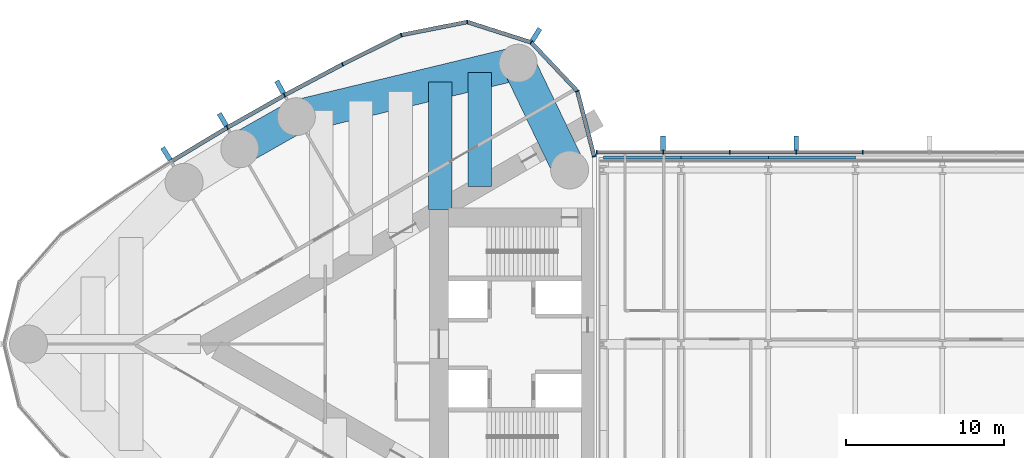
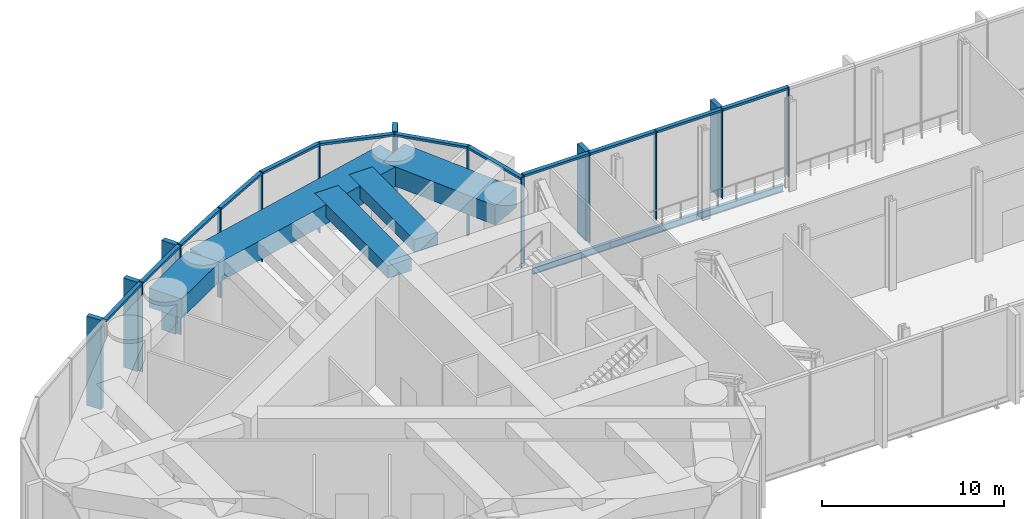
# One storey, part 6 of 21: 31 members, 8 beams, 2 elements without a shape of their own.
"""IFC4 building model written with IfcOpenShell, lengths in metres."""

from ifc_helpers import new_model, si_unit, direction, frame, origin, origin_2d, place, context, subcontext, project, spatial, rectangle, i_section, extrude, material, material_profile, profile_set, type_object, element, aggregate, save


model = new_model("IFC4")

# Units and contexts
model_context = context("Model", 3, precision=1e-05, world=origin(), true_north=direction((0.0, 1.0)))
body_context = subcontext(model_context, "Body", "Model", "MODEL_VIEW")
ifc_project = project(units=[si_unit("LENGTHUNIT", "METRE"), si_unit("AREAUNIT", "SQUARE_METRE"), si_unit("VOLUMEUNIT", "CUBIC_METRE"), si_unit("PLANEANGLEUNIT", "RADIAN"), si_unit("MASSUNIT", "GRAM", prefix="KILO")], contexts=[model_context])

# Site, building, storey
site_placement = place(None, origin())
site = spatial("IfcSite", under=ifc_project, at=site_placement, CompositionType="ELEMENT")
building_placement = place(site_placement, origin())
building = spatial("IfcBuilding", under=site, at=building_placement, Name="Lancet Gate Hotel", CompositionType="ELEMENT")
storey_placement = place(building_placement, frame((0.0, 0.0, 257.300048828125)))
storey = spatial("IfcBuildingStorey", under=building, at=storey_placement, Name="L68", CompositionType="ELEMENT", Elevation=257.300048828125)

# Curtain wall, members
ifc_material_1 = material(Name="Aluminium curtain wall", Category="aluminium")
curtain_wall_type = type_object("IfcCurtainWallType", Name="Sky deck full-height glazing", PredefinedType="USERDEFINED", material=ifc_material_1)
curtain_wall_1_placement = place(storey_placement, origin())
curtain_wall_1 = element("IfcCurtainWall", 1, at=curtain_wall_1_placement, inside=storey, type_object=curtain_wall_type, Name="T1 L68 curtain wall 1", ObjectType="UNITISED CURTAIN WALL", PredefinedType="USERDEFINED")
ifc_material_2 = material(Name="Aluminium mullion", Category="aluminium")
ifc_material_profile_1 = material_profile(ifc_material_2, rectangle(XDim=0.06494140625, YDim=0.25, at=origin_2d()), Name="MULLION 65x250")
ifc_profile_set_1 = profile_set([ifc_material_profile_1], Name="Aluminium mullion")
member_type_1 = type_object("IfcMemberType", Name="Aluminium mullion 65x250", PredefinedType="MULLION", material=ifc_profile_set_1)
member_1_placement = place(storey_placement, frame((-27.5, 11.861572265625, 0.0), z_axis=(0.0, 0.0, 1.0), x_axis=(-0.249725827997, 0.968316586056, 0.0)))
member_1 = element("IfcMember", 2, at=member_1_placement, type_object=member_type_1, Name="T1 L68 curtain wall 1 mullion 1", PredefinedType="MULLION", context=body_context, shape_type="SweptSolid", body=[
    extrude(rectangle(XDim=0.06494140625, YDim=0.25, at=origin_2d()), origin(), (0.0, 0.0, 1.0), 6.0),
])
member_2_placement = place(storey_placement, frame((-28.56005859375, 15.97216796875, 0.0), z_axis=(0.0, 0.0, 1.0), x_axis=(-0.483627322447, 0.875274021654, 0.0)))
member_2 = element("IfcMember", 3, at=member_2_placement, type_object=member_type_1, Name="T1 L68 curtain wall 1 mullion 2", PredefinedType="MULLION", context=body_context, shape_type="SweptSolid", body=[
    extrude(rectangle(XDim=0.06494140625, YDim=0.25, at=origin_2d()), origin(), (0.0, 0.0, 1.0), 6.0),
])
member_3_placement = place(storey_placement, frame((-31.476318359375, 19.0576171875, 0.0), z_axis=(0.0, 0.0, 1.0), x_axis=(-0.846612863, 0.532209225966, 0.0)))
member_3 = element("IfcMember", 4, at=member_3_placement, type_object=member_type_1, Name="T1 L68 curtain wall 1 mullion 3", PredefinedType="MULLION", context=body_context, shape_type="SweptSolid", body=[
    extrude(rectangle(XDim=0.06494140625, YDim=0.25, at=origin_2d()), origin(), (0.0, 0.0, 1.0), 6.0),
])
member_4_placement = place(storey_placement, frame((-35.520751953125, 20.347900390625, 0.0), z_axis=(0.0, 0.0, 1.0), x_axis=(-0.998409168318, 0.056383797491, 0.0)))
member_4 = element("IfcMember", 5, at=member_4_placement, type_object=member_type_1, Name="T1 L68 curtain wall 1 mullion 4", PredefinedType="MULLION", context=body_context, shape_type="SweptSolid", body=[
    extrude(rectangle(XDim=0.06494140625, YDim=0.25, at=origin_2d()), origin(), (0.0, 0.0, 1.0), 6.0),
])
member_5_placement = place(storey_placement, frame((-39.684814453125, 19.521240234375, 0.0), z_axis=(0.0, 0.0, 1.0), x_axis=(-0.946887706423, -0.321564412561, 0.0)))
member_5 = element("IfcMember", 6, at=member_5_placement, type_object=member_type_1, Name="T1 L68 curtain wall 1 mullion 5", PredefinedType="MULLION", context=body_context, shape_type="SweptSolid", body=[
    extrude(rectangle(XDim=0.06494140625, YDim=0.25, at=origin_2d()), origin(), (0.0, 0.0, 1.0), 6.0),
])
member_6_placement = place(storey_placement, frame((-43.3994140625, 17.67236328125, 0.0), z_axis=(0.0, 0.0, 1.0), x_axis=(-0.889155526065, -0.457605125046, 0.0)))
member_6 = element("IfcMember", 7, at=member_6_placement, type_object=member_type_1, Name="T1 L68 curtain wall 1 mullion 6", PredefinedType="MULLION", context=body_context, shape_type="SweptSolid", body=[
    extrude(rectangle(XDim=0.06494140625, YDim=0.25, at=origin_2d()), origin(), (0.0, 0.0, 1.0), 6.0),
])
member_7_placement = place(storey_placement, frame((-47.062744140625, 15.72412109375, 0.0), z_axis=(0.0, 0.0, 1.0), x_axis=(-0.876516407283, -0.481371984815, 0.0)))
member_7 = element("IfcMember", 8, at=member_7_placement, type_object=member_type_1, Name="T1 L68 curtain wall 1 mullion 7", PredefinedType="MULLION", context=body_context, shape_type="SweptSolid", body=[
    extrude(rectangle(XDim=0.06494140625, YDim=0.25, at=origin_2d()), origin(), (0.0, 0.0, 1.0), 6.0),
])
member_8_placement = place(storey_placement, frame((-50.67236328125, 13.677978515625, 0.0), z_axis=(0.0, 0.0, 1.0), x_axis=(-0.863242155108, -0.504790037189, 0.0)))
member_8 = element("IfcMember", 9, at=member_8_placement, type_object=member_type_1, Name="T1 L68 curtain wall 1 mullion 8", PredefinedType="MULLION", context=body_context, shape_type="SweptSolid", body=[
    extrude(rectangle(XDim=0.06494140625, YDim=0.25, at=origin_2d()), origin(), (0.0, 0.0, 1.0), 6.0),
])

curtain_wall_2_placement = place(storey_placement, origin())
curtain_wall_2 = element("IfcCurtainWall", 10, at=curtain_wall_2_placement, inside=storey, type_object=curtain_wall_type, Name="Bridge block L68 curtain wall N", ObjectType="UNITISED CURTAIN WALL", PredefinedType="USERDEFINED")
member_9_placement = place(storey_placement, frame((-10.519287109375, 12.1201171875, 0.0), z_axis=(0.0, 0.0, 1.0), x_axis=(-1.0, 0.0, 0.0)))
member_9 = element("IfcMember", 11, at=member_9_placement, type_object=member_type_1, Name="Bridge block L68 curtain wall N mullion 10", PredefinedType="MULLION", context=body_context, shape_type="SweptSolid", body=[
    extrude(rectangle(XDim=0.06494140625, YDim=0.25, at=origin_2d()), origin(), (0.0, 0.0, 1.0), 6.0),
])
member_10_placement = place(storey_placement, frame((-14.726806640625, 12.1201171875, 0.0), z_axis=(0.0, 0.0, 1.0), x_axis=(-1.0, 0.0, 0.0)))
member_10 = element("IfcMember", 12, at=member_10_placement, type_object=member_type_1, Name="Bridge block L68 curtain wall N mullion 11", PredefinedType="MULLION", context=body_context, shape_type="SweptSolid", body=[
    extrude(rectangle(XDim=0.06494140625, YDim=0.25, at=origin_2d()), origin(), (0.0, 0.0, 1.0), 6.0),
])
member_11_placement = place(storey_placement, frame((-18.9345703125, 12.1201171875, 0.0), z_axis=(0.0, 0.0, 1.0), x_axis=(-1.0, 0.0, 0.0)))
member_11 = element("IfcMember", 13, at=member_11_placement, type_object=member_type_1, Name="Bridge block L68 curtain wall N mullion 12", PredefinedType="MULLION", context=body_context, shape_type="SweptSolid", body=[
    extrude(rectangle(XDim=0.06494140625, YDim=0.25, at=origin_2d()), origin(), (0.0, 0.0, 1.0), 6.0),
])
member_12_placement = place(storey_placement, frame((-23.142333984375, 12.1201171875, 0.0), z_axis=(0.0, 0.0, 1.0), x_axis=(-1.0, 0.0, 0.0)))
member_12 = element("IfcMember", 14, at=member_12_placement, type_object=member_type_1, Name="Bridge block L68 curtain wall N mullion 13", PredefinedType="MULLION", context=body_context, shape_type="SweptSolid", body=[
    extrude(rectangle(XDim=0.06494140625, YDim=0.25, at=origin_2d()), origin(), (0.0, 0.0, 1.0), 6.0),
])
member_13_placement = place(storey_placement, frame((-27.35009765625, 12.1201171875, 0.0), z_axis=(0.0, 0.0, 1.0), x_axis=(-1.0, 0.0, 0.0)))
member_13 = element("IfcMember", 15, at=member_13_placement, type_object=member_type_1, Name="Bridge block L68 curtain wall N mullion 14", PredefinedType="MULLION", context=body_context, shape_type="SweptSolid", body=[
    extrude(rectangle(XDim=0.06494140625, YDim=0.25, at=origin_2d()), origin(), (0.0, 0.0, 1.0), 6.0),
])

# Member
ifc_material_3 = material(Name="Aluminium transom", Category="aluminium")
ifc_material_profile_2 = material_profile(ifc_material_3, rectangle(XDim=0.25, YDim=0.14990234375, at=origin_2d()), Name="TRANSOM 250x150")
ifc_profile_set_2 = profile_set([ifc_material_profile_2], Name="Aluminium transom")
member_type_2 = type_object("IfcMemberType", Name="Aluminium transom 250x150", PredefinedType="USERDEFINED", material=ifc_profile_set_2)
member_14_placement = place(storey_placement, frame((-27.508056640625, 11.892822265625, 5.925048828125), z_axis=(-0.249715522936, 0.968319243641, 0.0), x_axis=(-0.968319243641, -0.249715522936, 0.0)))
member_14 = element("IfcMember", 16, at=member_14_placement, type_object=member_type_2, Name="T1 L68 curtain wall 1 transom 1", ObjectType="TRANSOM", PredefinedType="USERDEFINED", context=body_context, shape_type="SweptSolid", body=[
    extrude(rectangle(XDim=0.25, YDim=0.14990234375, at=origin_2d()), origin(), (0.0, 0.0, 1.0), 4.180419921875),
])

member_15_placement = place(storey_placement, frame((-28.58251953125, 15.995849609375, 5.925048828125), z_axis=(-0.686880731091, 0.726770157103, 0.0), x_axis=(-0.726770157103, -0.686880731091, 0.0)))
member_15 = element("IfcMember", 17, at=member_15_placement, type_object=member_type_2, Name="T1 L68 curtain wall 1 transom 2", ObjectType="TRANSOM", PredefinedType="USERDEFINED", context=body_context, shape_type="SweptSolid", body=[
    extrude(rectangle(XDim=0.25, YDim=0.14990234375, at=origin_2d()), origin(), (0.0, 0.0, 1.0), 4.18017578125),
])

member_16_placement = place(storey_placement, frame((-31.507080078125, 19.067626953125, 5.925048828125), z_axis=(-0.952697713775, 0.303919506068, 0.0), x_axis=(-0.303919506068, -0.952697713775, 0.0)))
member_16 = element("IfcMember", 18, at=member_16_placement, type_object=member_type_2, Name="T1 L68 curtain wall 1 transom 3", ObjectType="TRANSOM", PredefinedType="USERDEFINED", context=body_context, shape_type="SweptSolid", body=[
    extrude(rectangle(XDim=0.25, YDim=0.14990234375, at=origin_2d()), origin(), (0.0, 0.0, 1.0), 4.180419921875),
])

member_17_placement = place(storey_placement, frame((-35.552734375, 20.341552734375, 5.925048828125), z_axis=(-0.980858234867, -0.194723196085, 0.0), x_axis=(0.194723196085, -0.980858234867, 0.0)))
member_17 = element("IfcMember", 19, at=member_17_placement, type_object=member_type_2, Name="T1 L68 curtain wall 1 transom 4", ObjectType="TRANSOM", PredefinedType="USERDEFINED", context=body_context, shape_type="SweptSolid", body=[
    extrude(rectangle(XDim=0.25, YDim=0.14990234375, at=origin_2d()), origin(), (0.0, 0.0, 1.0), 4.18017578125),
])

member_18_placement = place(storey_placement, frame((-39.7138671875, 19.5068359375, 5.925048828125), z_axis=(-0.895226720479, -0.445610950202, 0.0), x_axis=(0.445610950202, -0.895226720479, 0.0)))
member_18 = element("IfcMember", 20, at=member_18_placement, type_object=member_type_2, Name="T1 L68 curtain wall 1 transom 5", ObjectType="TRANSOM", PredefinedType="USERDEFINED", context=body_context, shape_type="SweptSolid", body=[
    extrude(rectangle(XDim=0.25, YDim=0.14990234375, at=origin_2d()), origin(), (0.0, 0.0, 1.0), 4.08447265625),
])

member_19_placement = place(storey_placement, frame((-43.427978515625, 17.656982421875, 5.925048828125), z_axis=(-0.882944619844, -0.469477154171, 0.0), x_axis=(0.469477154171, -0.882944619844, 0.0)))
member_19 = element("IfcMember", 21, at=member_19_placement, type_object=member_type_2, Name="T1 L68 curtain wall 1 transom 6", ObjectType="TRANSOM", PredefinedType="USERDEFINED", context=body_context, shape_type="SweptSolid", body=[
    extrude(rectangle(XDim=0.25, YDim=0.14990234375, at=origin_2d()), origin(), (0.0, 0.0, 1.0), 4.084228515625),
])

member_20_placement = place(storey_placement, frame((-47.091064453125, 15.7080078125, 5.925048828125), z_axis=(-0.869977740049, -0.493090997503, 0.0), x_axis=(0.493090997503, -0.869977740049, 0.0)))
member_20 = element("IfcMember", 22, at=member_20_placement, type_object=member_type_2, Name="T1 L68 curtain wall 1 transom 7", ObjectType="TRANSOM", PredefinedType="USERDEFINED", context=body_context, shape_type="SweptSolid", body=[
    extrude(rectangle(XDim=0.25, YDim=0.14990234375, at=origin_2d()), origin(), (0.0, 0.0, 1.0), 4.084228515625),
])

member_21_placement = place(storey_placement, frame((-50.7001953125, 13.661376953125, 5.925048828125), z_axis=(-0.856362214892, -0.516375596737, 0.0), x_axis=(0.516375596737, -0.856362214892, 0.0)))
member_21 = element("IfcMember", 23, at=member_21_placement, type_object=member_type_2, Name="T1 L68 curtain wall 1 transom 8", ObjectType="TRANSOM", PredefinedType="USERDEFINED", context=body_context, shape_type="SweptSolid", body=[
    extrude(rectangle(XDim=0.25, YDim=0.14990234375, at=origin_2d()), origin(), (0.0, 0.0, 1.0), 4.08447265625),
])

member_22_placement = place(storey_placement, frame((-10.5517578125, 12.1201171875, 5.925048828125), z_axis=(-1.0, 0.0, 0.0), x_axis=(0.0, -1.0, 0.0)))
member_22 = element("IfcMember", 24, at=member_22_placement, type_object=member_type_2, Name="Bridge block L68 curtain wall N transom 10", ObjectType="TRANSOM", PredefinedType="USERDEFINED", context=body_context, shape_type="SweptSolid", body=[
    extrude(rectangle(XDim=0.25, YDim=0.14990234375, at=origin_2d()), origin(), (0.0, 0.0, 1.0), 4.142578125),
])

member_23_placement = place(storey_placement, frame((-14.759521484375, 12.1201171875, 5.925048828125), z_axis=(-1.0, 0.0, 0.0), x_axis=(0.0, -1.0, 0.0)))
member_23 = element("IfcMember", 25, at=member_23_placement, type_object=member_type_2, Name="Bridge block L68 curtain wall N transom 11", ObjectType="TRANSOM", PredefinedType="USERDEFINED", context=body_context, shape_type="SweptSolid", body=[
    extrude(rectangle(XDim=0.25, YDim=0.14990234375, at=origin_2d()), origin(), (0.0, 0.0, 1.0), 4.142578125),
])

member_24_placement = place(storey_placement, frame((-18.967041015625, 12.1201171875, 5.925048828125), z_axis=(-1.0, 0.0, 0.0), x_axis=(0.0, -1.0, 0.0)))
member_24 = element("IfcMember", 26, at=member_24_placement, type_object=member_type_2, Name="Bridge block L68 curtain wall N transom 12", ObjectType="TRANSOM", PredefinedType="USERDEFINED", context=body_context, shape_type="SweptSolid", body=[
    extrude(rectangle(XDim=0.25, YDim=0.14990234375, at=origin_2d()), origin(), (0.0, 0.0, 1.0), 4.142822265625),
])

member_25_placement = place(storey_placement, frame((-23.1748046875, 12.1201171875, 5.925048828125), z_axis=(-1.0, 0.0, 0.0), x_axis=(0.0, -1.0, 0.0)))
member_25 = element("IfcMember", 27, at=member_25_placement, type_object=member_type_2, Name="Bridge block L68 curtain wall N transom 13", ObjectType="TRANSOM", PredefinedType="USERDEFINED", context=body_context, shape_type="SweptSolid", body=[
    extrude(rectangle(XDim=0.25, YDim=0.14990234375, at=origin_2d()), origin(), (0.0, 0.0, 1.0), 4.142578125),
])

# Beams
ifc_material_4 = material(Name="Steel S355", Category="steel")
ifc_material_profile_3 = material_profile(ifc_material_4, i_section(OverallWidth=0.19140625, OverallDepth=0.4599609375, WebThickness=0.010009765625, FlangeThickness=0.01611328125, FilletRadius=0.01025390625, at=origin_2d()), Name="UKB 457x191x82")
ifc_profile_set_3 = profile_set([ifc_material_profile_3], Name="Steel S355")
beam_type_1 = type_object("IfcBeamType", Name="Block edge beam UKB 457x191x82", PredefinedType="SPANDREL", material=ifc_profile_set_3)
beam_1_placement = place(storey_placement, frame((-26.89990234375, 11.800048828125, -0.429931640625), z_axis=(1.0, 0.0, 0.0), x_axis=(0.0, 1.0, 0.0)))
element("IfcBeam", 28, at=beam_1_placement, inside=storey, type_object=beam_type_1, Name="Block edge beam N 0-1 L68", PredefinedType="SPANDREL", context=body_context, shape_type="SweptSolid", body=[
    extrude(i_section(OverallWidth=0.19140625, OverallDepth=0.4599609375, WebThickness=0.010009765625, FlangeThickness=0.01611328125, FilletRadius=0.01025390625, at=origin_2d()), origin(), (0.0, 0.0, 1.0), 4.89990234375),
])
for number, where, z_axis, x_axis, name in (
    (29, (-22.0, 11.800048828125, -0.429931640625), (1.0, 0.0, 0.0), (0.0, 1.0, 0.0), "Block edge beam N 1-2 L68"),
    (30, (-16.5, 11.800048828125, -0.429931640625), (1.0, 0.0, 0.0), (0.0, 1.0, 0.0), "Block edge beam N 2-3 L68"),
):
    element("IfcBeam", number, at=place(storey_placement, frame(where, z_axis=z_axis, x_axis=x_axis)), inside=storey, type_object=beam_type_1, Name=name, PredefinedType="SPANDREL", context=body_context, shape_type="SweptSolid", body=[
        extrude(i_section(OverallWidth=0.19140625, OverallDepth=0.4599609375, WebThickness=0.010009765625, FlangeThickness=0.01611328125, FilletRadius=0.01025390625, at=origin_2d()), origin(), (0.0, 0.0, 1.0), 5.5),
    ])
ifc_material_5 = material(Name="Concrete C50/60", Category="concrete")
ifc_material_profile_4 = material_profile(ifc_material_5, rectangle(XDim=2.10009765625, YDim=1.300048828125, at=origin_2d()), Name="RC 2100x1300")
ifc_profile_set_4 = profile_set([ifc_material_profile_4], Name="Concrete C50/60")
beam_type_2 = type_object("IfcBeamType", Name="Edge beam RC 2100x1300", PredefinedType="SPANDREL", material=ifc_profile_set_4)
beam_2_placement = place(storey_placement, frame((-32.301025390625, 17.745361328125, 5.099853515625), z_axis=(-0.972132796948, -0.234430853556, 0.0), x_axis=(0.234430853556, -0.972132796948, 0.0)))
element("IfcBeam", 31, at=beam_2_placement, inside=storey, type_object=beam_type_2, Name="T1 edge beam EB1 L68", PredefinedType="SPANDREL", context=body_context, shape_type="SweptSolid", body=[
    extrude(rectangle(XDim=2.10009765625, YDim=1.300048828125, at=origin_2d()), origin(), (0.0, 0.0, 1.0), 14.41748046875),
])
beam_3_placement = place(storey_placement, frame((-46.316650390625, 14.365478515625, 5.099853515625), z_axis=(-0.869978841992, -0.493089053301, 0.0), x_axis=(0.493089053301, -0.869978841992, 0.0)))
element("IfcBeam", 32, at=beam_3_placement, inside=storey, type_object=beam_type_2, Name="T1 edge beam EB1 L68", PredefinedType="SPANDREL", context=body_context, shape_type="SweptSolid", body=[
    extrude(rectangle(XDim=2.10009765625, YDim=1.300048828125, at=origin_2d()), origin(), (0.0, 0.0, 1.0), 4.107666015625),
])
beam_4_placement = place(storey_placement, frame((-32.301025390625, 17.745361328125, 5.099853515625), z_axis=(0.434163599361, -0.900834040759, 0.0), x_axis=(0.900834040759, 0.434163599361, 0.0)))
element("IfcBeam", 33, at=beam_4_placement, inside=storey, type_object=beam_type_2, Name="T1 edge beam EB1 L68", PredefinedType="SPANDREL", context=body_context, shape_type="SweptSolid", body=[
    extrude(rectangle(XDim=2.10009765625, YDim=1.300048828125, at=origin_2d()), origin(), (0.0, 0.0, 1.0), 7.48779296875),
])

# Member
ifc_material_6 = material(Name="Precast concrete C50/60", Category="concrete")
ifc_material_profile_5 = material_profile(ifc_material_6, rectangle(XDim=0.300048828125, YDim=0.89990234375, at=origin_2d()), Name="FIN 300x900")
ifc_profile_set_5 = profile_set([ifc_material_profile_5], Name="Precast concrete C50/60")
member_type_3 = type_object("IfcMemberType", Name="Exposed concrete fin 300x900", PredefinedType="USERDEFINED", material=ifc_profile_set_5)
member_26_placement = place(storey_placement, frame((-31.170166015625, 19.54443359375, 0.0), z_axis=(0.0, 0.0, 1.0), x_axis=(-0.846612863, 0.532209225966, 0.0)))
member_26 = element("IfcMember", 34, at=member_26_placement, type_object=member_type_3, Name="T1 L68 curtain wall 1 fin 3", ObjectType="FIN", PredefinedType="USERDEFINED", context=body_context, shape_type="SweptSolid", body=[
    extrude(rectangle(XDim=0.300048828125, YDim=0.89990234375, at=origin_2d()), origin(), (0.0, 0.0, 1.0), 6.0),
])

member_27_placement = place(storey_placement, frame((-47.339599609375, 16.22802734375, 0.0), z_axis=(0.0, 0.0, 1.0), x_axis=(-0.876516407283, -0.481371984815, 0.0)))
member_27 = element("IfcMember", 35, at=member_27_placement, type_object=member_type_3, Name="T1 L68 curtain wall 1 fin 7", ObjectType="FIN", PredefinedType="USERDEFINED", context=body_context, shape_type="SweptSolid", body=[
    extrude(rectangle(XDim=0.300048828125, YDim=0.89990234375, at=origin_2d()), origin(), (0.0, 0.0, 1.0), 6.0),
])

member_28_placement = place(storey_placement, frame((-50.962646484375, 14.17431640625, 0.0), z_axis=(0.0, 0.0, 1.0), x_axis=(-0.863242155108, -0.504790037189, 0.0)))
member_28 = element("IfcMember", 36, at=member_28_placement, type_object=member_type_3, Name="T1 L68 curtain wall 1 fin 8", ObjectType="FIN", PredefinedType="USERDEFINED", context=body_context, shape_type="SweptSolid", body=[
    extrude(rectangle(XDim=0.300048828125, YDim=0.89990234375, at=origin_2d()), origin(), (0.0, 0.0, 1.0), 6.0),
])

member_29_placement = place(storey_placement, frame((-54.529296875, 12.02392578125, 0.0), z_axis=(0.0, 0.0, 1.0), x_axis=(-0.849342388216, -0.527842313176, 0.0)))
member_29 = element("IfcMember", 37, at=member_29_placement, type_object=member_type_3, Name="T1 L68 curtain wall 1 fin 9", ObjectType="FIN", PredefinedType="USERDEFINED", context=body_context, shape_type="SweptSolid", body=[
    extrude(rectangle(XDim=0.300048828125, YDim=0.89990234375, at=origin_2d()), origin(), (0.0, 0.0, 1.0), 6.0),
])

aggregate(curtain_wall_1, [member_1, member_2, member_3, member_26, member_4, member_5, member_6, member_7, member_27, member_8, member_28, member_29, member_14, member_15, member_16, member_17, member_18, member_19, member_20, member_21])

member_30_placement = place(storey_placement, frame((-14.726806640625, 12.695068359375, 0.0), z_axis=(0.0, 0.0, 1.0), x_axis=(-1.0, 0.0, 0.0)))
member_30 = element("IfcMember", 38, at=member_30_placement, type_object=member_type_3, Name="Bridge block L68 curtain wall N fin 11", ObjectType="FIN", PredefinedType="USERDEFINED", context=body_context, shape_type="SweptSolid", body=[
    extrude(rectangle(XDim=0.300048828125, YDim=0.89990234375, at=origin_2d()), origin(), (0.0, 0.0, 1.0), 6.0),
])

member_31_placement = place(storey_placement, frame((-23.142333984375, 12.695068359375, 0.0), z_axis=(0.0, 0.0, 1.0), x_axis=(-1.0, 0.0, 0.0)))
member_31 = element("IfcMember", 39, at=member_31_placement, type_object=member_type_3, Name="Bridge block L68 curtain wall N fin 13", ObjectType="FIN", PredefinedType="USERDEFINED", context=body_context, shape_type="SweptSolid", body=[
    extrude(rectangle(XDim=0.300048828125, YDim=0.89990234375, at=origin_2d()), origin(), (0.0, 0.0, 1.0), 6.0),
])

aggregate(curtain_wall_2, [member_9, member_10, member_30, member_11, member_12, member_31, member_13, member_22, member_23, member_24, member_25])

# Beams
ifc_material_7 = material(Name="Concrete C50/60", Category="concrete")
ifc_material_profile_6 = material_profile(ifc_material_7, rectangle(XDim=1.5, YDim=0.85009765625, at=origin_2d()), Name="RC 1500x850")
ifc_profile_set_6 = profile_set([ifc_material_profile_6], Name="Concrete C50/60")
beam_type_3 = type_object("IfcBeamType", Name="Floor beam RC 1500x850", PredefinedType="BEAM", material=ifc_profile_set_6)
beam_5_placement = place(storey_placement, frame((-34.720458984375, 17.161865234375, 5.324951171875), z_axis=(0.0, -1.0, 0.0), x_axis=(1.0, 0.0, 0.0)))
element("IfcBeam", 40, at=beam_5_placement, inside=storey, type_object=beam_type_3, Name="T1 floor beam F02S L68", PredefinedType="BEAM", context=body_context, shape_type="SweptSolid", body=[
    extrude(rectangle(XDim=1.5, YDim=0.85009765625, at=origin_2d()), origin(), (0.0, 0.0, 1.0), 7.203857421875),
])
beam_6_placement = place(storey_placement, frame((-37.227294921875, 16.557373046875, 5.324951171875), z_axis=(0.0, -1.0, 0.0), x_axis=(1.0, 0.0, 0.0)))
element("IfcBeam", 41, at=beam_6_placement, inside=storey, type_object=beam_type_3, Name="T1 floor beam F03S L68", PredefinedType="BEAM", context=body_context, shape_type="SweptSolid", body=[
    extrude(rectangle(XDim=1.5, YDim=0.85009765625, at=origin_2d()), origin(), (0.0, 0.0, 1.0), 8.046630859375),
])

save(model, "model.ifc")
